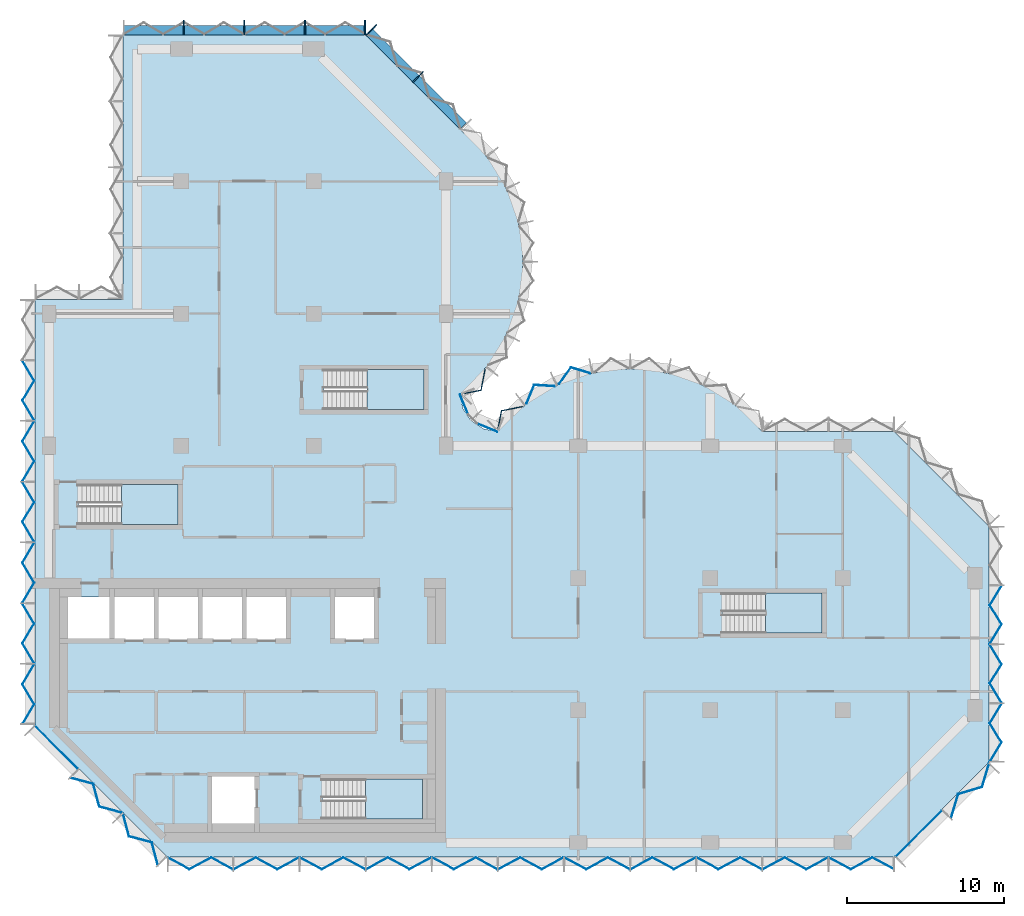
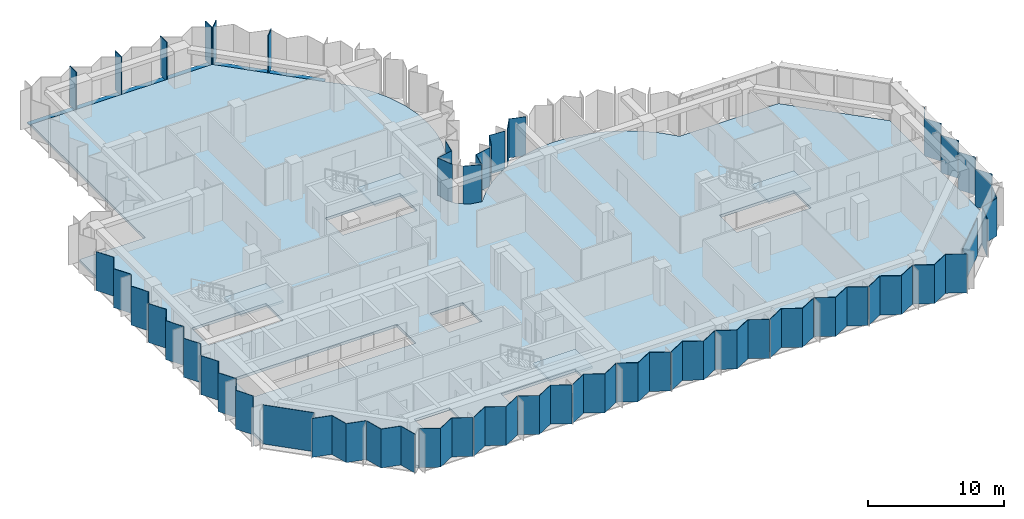
# One storey, part 3 of 10: 31 plates, 8 members, 5 slabs, 14 elements without a shape of their own.
"""IFC4 building model written with IfcOpenShell, lengths in metres."""

from ifc_helpers import new_model, si_unit, direction, frame, origin, origin_2d, place, context, subcontext, project, spatial, polyline, rectangle, outline, extrude, material, layer, layer_set, material_profile, profile_set, type_object, element, aggregate, save


model = new_model("IFC4")

# Units and contexts
model_context = context("Model", 3, precision=1e-05, world=origin(), true_north=direction((0.0, 1.0)))
body_context = subcontext(model_context, "Body", "Model", "MODEL_VIEW")
ifc_project = project(units=[si_unit("LENGTHUNIT", "METRE"), si_unit("AREAUNIT", "SQUARE_METRE"), si_unit("VOLUMEUNIT", "CUBIC_METRE"), si_unit("PLANEANGLEUNIT", "RADIAN"), si_unit("MASSUNIT", "GRAM", prefix="KILO")], contexts=[model_context])

# Site, building, storey
site_placement = place(None, origin())
site = spatial("IfcSite", under=ifc_project, at=site_placement, CompositionType="ELEMENT")
building_placement = place(site_placement, origin())
building = spatial("IfcBuilding", under=site, at=building_placement, Name="Brevane Broadcast Tower", CompositionType="ELEMENT")
storey_placement = place(building_placement, frame((0.0, 0.0, 181.199951171875)))
storey = spatial("IfcBuildingStorey", under=building, at=storey_placement, Name="L45", CompositionType="ELEMENT", Elevation=181.199951171875)

# Curtain wall, members
ifc_material_1 = material(Name="Aluminium 6063-T6 bronze anodised", Category="aluminium")
curtain_wall_type = type_object("IfcCurtainWallType", Name="CW-1 curtain wall", PredefinedType="NOTDEFINED", material=ifc_material_1)
curtain_wall_1_placement = place(storey_placement, origin())
curtain_wall_1 = element("IfcCurtainWall", 1, at=curtain_wall_1_placement, inside=storey, type_object=curtain_wall_type, Name="CW-1 typical tilted unit L45 north arm north-east chamfer", PredefinedType="NOTDEFINED")
ifc_material_profile_1 = material_profile(ifc_material_1, rectangle(XDim=0.949951171875, YDim=0.070068359375, at=origin_2d()), Name="RECT 70x950")
ifc_profile_set_1 = profile_set([ifc_material_profile_1], Name="Aluminium 6063-T6 bronze anodised")
member_type_1 = type_object("IfcMemberType", Name="CW-1 mullion 70x950", PredefinedType="MULLION", material=ifc_profile_set_1)
member_1_placement = place(storey_placement, frame((23.435791015625, 48.635986328125, -0.14990234375), z_axis=(0.0, 0.0, 1.0), x_axis=(-0.707106781187, -0.707106781187, 0.0)))
member_1 = element("IfcMember", 2, at=member_1_placement, type_object=member_type_1, Name="CW-1 mullion", PredefinedType="MULLION", context=body_context, shape_type="SweptSolid", body=[
    extrude(rectangle(XDim=0.949951171875, YDim=0.070068359375, at=origin_2d()), origin(), (0.0, 0.0, 1.0), 3.5),
])
member_2_placement = place(storey_placement, frame((20.460693359375, 51.611083984375, -0.14990234375), z_axis=(0.0, 0.0, 1.0), x_axis=(-0.707106781187, -0.707106781187, 0.0)))
member_2 = element("IfcMember", 3, at=member_2_placement, type_object=member_type_1, Name="CW-1 mullion", PredefinedType="MULLION", context=body_context, shape_type="SweptSolid", body=[
    extrude(rectangle(XDim=0.949951171875, YDim=0.070068359375, at=origin_2d()), origin(), (0.0, 0.0, 1.0), 3.5),
])

curtain_wall_2_placement = place(storey_placement, origin())
curtain_wall_2 = element("IfcCurtainWall", 4, at=curtain_wall_2_placement, inside=storey, type_object=curtain_wall_type, Name="CW-1 typical tilted unit L45 north end", PredefinedType="NOTDEFINED")
member_3_placement = place(storey_placement, frame((20.06494140625, 51.77490234375, -0.14990234375), z_axis=(0.0, 0.0, 1.0), x_axis=(0.0, -1.0, 0.0)))
member_3 = element("IfcMember", 5, at=member_3_placement, type_object=member_type_1, Name="CW-1 mullion", PredefinedType="MULLION", context=body_context, shape_type="SweptSolid", body=[
    extrude(rectangle(XDim=0.949951171875, YDim=0.070068359375, at=origin_2d()), origin(), (0.0, 0.0, 1.0), 3.5),
])
member_4_placement = place(storey_placement, frame((16.25, 51.77490234375, -0.14990234375), z_axis=(0.0, 0.0, 1.0), x_axis=(0.0, -1.0, 0.0)))
member_4 = element("IfcMember", 6, at=member_4_placement, type_object=member_type_1, Name="CW-1 mullion", PredefinedType="MULLION", context=body_context, shape_type="SweptSolid", body=[
    extrude(rectangle(XDim=0.949951171875, YDim=0.070068359375, at=origin_2d()), origin(), (0.0, 0.0, 1.0), 3.5),
])
member_5_placement = place(storey_placement, frame((12.39990234375, 51.77490234375, -0.14990234375), z_axis=(0.0, 0.0, 1.0), x_axis=(0.0, -1.0, 0.0)))
member_5 = element("IfcMember", 7, at=member_5_placement, type_object=member_type_1, Name="CW-1 mullion", PredefinedType="MULLION", context=body_context, shape_type="SweptSolid", body=[
    extrude(rectangle(XDim=0.949951171875, YDim=0.070068359375, at=origin_2d()), origin(), (0.0, 0.0, 1.0), 3.5),
])
member_6_placement = place(storey_placement, frame((8.550048828125, 51.77490234375, -0.14990234375), z_axis=(0.0, 0.0, 1.0), x_axis=(0.0, -1.0, 0.0)))
member_6 = element("IfcMember", 8, at=member_6_placement, type_object=member_type_1, Name="CW-1 mullion", PredefinedType="MULLION", context=body_context, shape_type="SweptSolid", body=[
    extrude(rectangle(XDim=0.949951171875, YDim=0.070068359375, at=origin_2d()), origin(), (0.0, 0.0, 1.0), 3.5),
])

# Member
ifc_material_profile_2 = material_profile(ifc_material_1, rectangle(XDim=0.60009765625, YDim=0.10009765625, at=origin_2d()), Name="RECT 100x600")
ifc_profile_set_2 = profile_set([ifc_material_profile_2], Name="Aluminium 6063-T6 bronze anodised")
member_type_2 = type_object("IfcMemberType", Name="CW-1 transom 100x600", PredefinedType="USERDEFINED", material=ifc_profile_set_2)
member_7_placement = place(storey_placement, frame((26.31201171875, 45.51220703125, -0.199951171875), z_axis=(-0.707106781187, 0.707106781187, 0.0), x_axis=(-0.707106781187, -0.707106781187, 0.0)))
member_7 = element("IfcMember", 9, at=member_7_placement, type_object=member_type_2, Name="CW-1 transom", ObjectType="TRANSOM", PredefinedType="USERDEFINED", context=body_context, shape_type="SweptSolid", body=[
    extrude(rectangle(XDim=0.60009765625, YDim=0.10009765625, at=origin_2d()), origin(), (0.0, 0.0, 1.0), 8.4853515625),
])

aggregate(curtain_wall_1, [member_1, member_2, member_7])

member_8_placement = place(storey_placement, frame((20.10009765625, 51.60009765625, -0.199951171875), z_axis=(-1.0, 0.0, 0.0), x_axis=(0.0, -1.0, 0.0)))
member_8 = element("IfcMember", 10, at=member_8_placement, type_object=member_type_2, Name="CW-1 transom", ObjectType="TRANSOM", PredefinedType="USERDEFINED", context=body_context, shape_type="SweptSolid", body=[
    extrude(rectangle(XDim=0.60009765625, YDim=0.10009765625, at=origin_2d()), origin(), (0.0, 0.0, 1.0), 15.400146484375),
])

aggregate(curtain_wall_2, [member_3, member_4, member_5, member_6, member_8])

# Curtain wall, plates
curtain_wall_3_placement = place(storey_placement, origin())
curtain_wall_3 = element("IfcCurtainWall", 11, at=curtain_wall_3_placement, inside=storey, type_object=curtain_wall_type, Name="CW-1 typical tilted unit L45 south face", PredefinedType="NOTDEFINED")
ifc_material_2 = material(Name="Laminated glass bronze-tinted", Category="glass")
ifc_layer_1 = layer(ifc_material_2, 0.0400390625)
ifc_layer_set_1 = layer_set([ifc_layer_1], Name="CW tall glass panel 40")
plate_type = type_object("IfcPlateType", Name="CW tall glass panel 40", PredefinedType="CURTAIN_PANEL", material=ifc_layer_set_1)
plate_1_placement = place(storey_placement, frame((0.0, 0.0, -0.14990234375)))
plate_1 = element("IfcPlate", 12, at=plate_1_placement, type_object=plate_type, Name="CW-1 glass panel", PredefinedType="CURTAIN_PANEL", context=body_context, shape_type="SweptSolid", body=[
    extrude(outline(polyline([(7.534912109375, -0.92724609375), (7.534912109375, -0.97265625), (8.91162109375, -1.717041015625), (10.288330078125, -0.97265625), (11.6650390625, -1.717041015625), (11.6650390625, -1.671630859375), (10.288330078125, -0.92724609375), (8.91162109375, -1.671630859375), (7.534912109375, -0.92724609375)])), origin(), (0.0, 0.0, 1.0), 3.5),
])
plate_2_placement = place(storey_placement, frame((0.0, 0.0, -0.14990234375)))
plate_2 = element("IfcPlate", 13, at=plate_2_placement, type_object=plate_type, Name="CW-1 glass panel", PredefinedType="CURTAIN_PANEL", context=body_context, shape_type="SweptSolid", body=[
    extrude(outline(polyline([(11.735107421875, -1.671630859375), (11.735107421875, -1.717041015625), (13.11181640625, -0.97265625), (14.48828125, -1.717041015625), (15.864990234375, -0.97265625), (15.864990234375, -0.92724609375), (14.48828125, -1.671630859375), (13.11181640625, -0.92724609375), (11.735107421875, -1.671630859375)])), origin(), (0.0, 0.0, 1.0), 3.5),
])
plate_3_placement = place(storey_placement, frame((0.0, 0.0, -0.14990234375)))
plate_3 = element("IfcPlate", 14, at=plate_3_placement, type_object=plate_type, Name="CW-1 glass panel", PredefinedType="CURTAIN_PANEL", context=body_context, shape_type="SweptSolid", body=[
    extrude(outline(polyline([(15.93505859375, -0.92724609375), (15.93505859375, -0.97265625), (17.311767578125, -1.717041015625), (18.688232421875, -0.97265625), (20.06494140625, -1.717041015625), (20.06494140625, -1.671630859375), (18.688232421875, -0.92724609375), (17.311767578125, -1.671630859375), (15.93505859375, -0.92724609375)])), origin(), (0.0, 0.0, 1.0), 3.5),
])
plate_4_placement = place(storey_placement, frame((0.0, 0.0, -0.14990234375)))
plate_4 = element("IfcPlate", 15, at=plate_4_placement, type_object=plate_type, Name="CW-1 glass panel", PredefinedType="CURTAIN_PANEL", context=body_context, shape_type="SweptSolid", body=[
    extrude(outline(polyline([(20.135009765625, -1.671630859375), (20.135009765625, -1.717041015625), (21.51171875, -0.97265625), (22.88818359375, -1.717041015625), (24.264892578125, -0.97265625), (24.264892578125, -0.92724609375), (22.88818359375, -1.671630859375), (21.51171875, -0.92724609375), (20.135009765625, -1.671630859375)])), origin(), (0.0, 0.0, 1.0), 3.5),
])
plate_5_placement = place(storey_placement, frame((0.0, 0.0, -0.14990234375)))
plate_5 = element("IfcPlate", 16, at=plate_5_placement, type_object=plate_type, Name="CW-1 glass panel", PredefinedType="CURTAIN_PANEL", context=body_context, shape_type="SweptSolid", body=[
    extrude(outline(polyline([(24.3349609375, -0.92724609375), (24.3349609375, -0.97265625), (25.711669921875, -1.717041015625), (27.08837890625, -0.97265625), (28.465087890625, -1.717041015625), (28.465087890625, -1.671630859375), (27.08837890625, -0.92724609375), (25.711669921875, -1.671630859375), (24.3349609375, -0.92724609375)])), origin(), (0.0, 0.0, 1.0), 3.5),
])
plate_6_placement = place(storey_placement, frame((0.0, 0.0, -0.14990234375)))
plate_6 = element("IfcPlate", 17, at=plate_6_placement, type_object=plate_type, Name="CW-1 glass panel", PredefinedType="CURTAIN_PANEL", context=body_context, shape_type="SweptSolid", body=[
    extrude(outline(polyline([(28.534912109375, -1.671630859375), (28.534912109375, -1.717041015625), (29.91162109375, -0.97265625), (31.288330078125, -1.717041015625), (32.6650390625, -0.97265625), (32.6650390625, -0.92724609375), (31.288330078125, -1.671630859375), (29.91162109375, -0.92724609375), (28.534912109375, -1.671630859375)])), origin(), (0.0, 0.0, 1.0), 3.5),
])
plate_7_placement = place(storey_placement, frame((0.0, 0.0, -0.14990234375)))
plate_7 = element("IfcPlate", 18, at=plate_7_placement, type_object=plate_type, Name="CW-1 glass panel", PredefinedType="CURTAIN_PANEL", context=body_context, shape_type="SweptSolid", body=[
    extrude(outline(polyline([(32.735107421875, -0.92724609375), (32.735107421875, -0.97265625), (34.11181640625, -1.717041015625), (35.48828125, -0.97265625), (36.864990234375, -1.717041015625), (36.864990234375, -1.671630859375), (35.48828125, -0.92724609375), (34.11181640625, -1.671630859375), (32.735107421875, -0.92724609375)])), origin(), (0.0, 0.0, 1.0), 3.5),
])
plate_8_placement = place(storey_placement, frame((0.0, 0.0, -0.14990234375)))
plate_8 = element("IfcPlate", 19, at=plate_8_placement, type_object=plate_type, Name="CW-1 glass panel", PredefinedType="CURTAIN_PANEL", context=body_context, shape_type="SweptSolid", body=[
    extrude(outline(polyline([(36.93505859375, -1.671630859375), (36.93505859375, -1.717041015625), (38.311767578125, -0.97265625), (39.688232421875, -1.717041015625), (41.06494140625, -0.97265625), (41.06494140625, -0.92724609375), (39.688232421875, -1.671630859375), (38.311767578125, -0.92724609375), (36.93505859375, -1.671630859375)])), origin(), (0.0, 0.0, 1.0), 3.5),
])
plate_9_placement = place(storey_placement, frame((0.0, 0.0, -0.14990234375)))
plate_9 = element("IfcPlate", 20, at=plate_9_placement, type_object=plate_type, Name="CW-1 glass panel", PredefinedType="CURTAIN_PANEL", context=body_context, shape_type="SweptSolid", body=[
    extrude(outline(polyline([(41.135009765625, -0.92724609375), (41.135009765625, -0.97265625), (42.51171875, -1.717041015625), (43.88818359375, -0.97265625), (45.264892578125, -1.717041015625), (45.264892578125, -1.671630859375), (43.88818359375, -0.92724609375), (42.51171875, -1.671630859375), (41.135009765625, -0.92724609375)])), origin(), (0.0, 0.0, 1.0), 3.5),
])
plate_10_placement = place(storey_placement, frame((0.0, 0.0, -0.14990234375)))
plate_10 = element("IfcPlate", 21, at=plate_10_placement, type_object=plate_type, Name="CW-1 glass panel", PredefinedType="CURTAIN_PANEL", context=body_context, shape_type="SweptSolid", body=[
    extrude(outline(polyline([(45.3349609375, -1.671630859375), (45.3349609375, -1.717041015625), (46.711669921875, -0.97265625), (48.08837890625, -1.717041015625), (49.465087890625, -0.97265625), (49.465087890625, -0.92724609375), (48.08837890625, -1.671630859375), (46.711669921875, -0.92724609375), (45.3349609375, -1.671630859375)])), origin(), (0.0, 0.0, 1.0), 3.5),
])
plate_11_placement = place(storey_placement, frame((0.0, 0.0, -0.14990234375)))
plate_11 = element("IfcPlate", 22, at=plate_11_placement, type_object=plate_type, Name="CW-1 glass panel", PredefinedType="CURTAIN_PANEL", context=body_context, shape_type="SweptSolid", body=[
    extrude(outline(polyline([(49.534912109375, -0.92724609375), (49.534912109375, -0.97265625), (50.91162109375, -1.717041015625), (52.288330078125, -0.97265625), (53.6650390625, -1.717041015625), (53.6650390625, -1.671630859375), (52.288330078125, -0.92724609375), (50.91162109375, -1.671630859375), (49.534912109375, -0.92724609375)])), origin(), (0.0, 0.0, 1.0), 3.5),
])
aggregate(curtain_wall_3, [plate_1, plate_2, plate_3, plate_4, plate_5, plate_6, plate_7, plate_8, plate_9, plate_10, plate_11])

curtain_wall_4_placement = place(storey_placement, origin())
curtain_wall_4 = element("IfcCurtainWall", 23, at=curtain_wall_4_placement, inside=storey, type_object=curtain_wall_type, Name="CW-1 typical tilted unit L45 south-east chamfer", PredefinedType="NOTDEFINED")
plate_12_placement = place(storey_placement, frame((0.0, 0.0, -0.14990234375)))
plate_12 = element("IfcPlate", 24, at=plate_12_placement, type_object=plate_type, Name="CW-1 glass panel", PredefinedType="CURTAIN_PANEL", context=body_context, shape_type="SweptSolid", body=[
    extrude(outline(polyline([(53.74609375, -0.896484375), (56.696533203125, 2.053955078125), (56.724609375, 2.02587890625), (53.774169921875, -0.9248046875), (53.74609375, -0.896484375)])), origin(), (0.0, 0.0, 1.0), 3.39990234375),
])
plate_13_placement = place(storey_placement, frame((0.0, 0.0, -0.14990234375)))
plate_13 = element("IfcPlate", 25, at=plate_13_placement, type_object=plate_type, Name="CW-1 glass panel", PredefinedType="CURTAIN_PANEL", context=body_context, shape_type="SweptSolid", body=[
    extrude(outline(polyline([(57.2705078125, 1.5791015625), (57.302490234375, 1.547119140625), (57.759521484375, 3.056884765625), (59.26953125, 3.513916015625), (59.7265625, 5.02392578125), (59.694580078125, 5.055908203125), (59.2373046875, 3.546142578125), (57.7275390625, 3.0888671875), (57.2705078125, 1.5791015625)])), origin(), (0.0, 0.0, 1.0), 3.39990234375),
])
aggregate(curtain_wall_4, [plate_12, plate_13])

curtain_wall_5_placement = place(storey_placement, origin())
curtain_wall_5 = element("IfcCurtainWall", 26, at=curtain_wall_5_placement, inside=storey, type_object=curtain_wall_type, Name="CW-1 typical tilted unit L45 east end", PredefinedType="NOTDEFINED")
plate_14_placement = place(storey_placement, frame((0.0, 0.0, -0.14990234375)))
plate_14 = element("IfcPlate", 27, at=plate_14_placement, type_object=plate_type, Name="CW-1 glass panel", PredefinedType="CURTAIN_PANEL", context=body_context, shape_type="SweptSolid", body=[
    extrude(outline(polyline([(59.7265625, 5.135009765625), (59.7734375, 5.135009765625), (60.517822265625, 6.36181640625), (59.7734375, 7.58837890625), (60.517822265625, 8.81494140625), (60.470947265625, 8.81494140625), (59.7265625, 7.58837890625), (60.470947265625, 6.36181640625), (59.7265625, 5.135009765625)])), origin(), (0.0, 0.0, 1.0), 3.39990234375),
])
plate_15_placement = place(storey_placement, frame((0.0, 0.0, -0.14990234375)))
plate_15 = element("IfcPlate", 28, at=plate_15_placement, type_object=plate_type, Name="CW-1 glass panel", PredefinedType="CURTAIN_PANEL", context=body_context, shape_type="SweptSolid", body=[
    extrude(outline(polyline([(60.470947265625, 8.885009765625), (60.517822265625, 8.885009765625), (59.7734375, 10.11181640625), (60.517822265625, 11.33837890625), (59.7734375, 12.56494140625), (59.7265625, 12.56494140625), (60.470947265625, 11.33837890625), (59.7265625, 10.11181640625), (60.470947265625, 8.885009765625)])), origin(), (0.0, 0.0, 1.0), 3.39990234375),
])
plate_16_placement = place(storey_placement, frame((0.0, 0.0, -0.14990234375)))
plate_16 = element("IfcPlate", 29, at=plate_16_placement, type_object=plate_type, Name="CW-1 glass panel", PredefinedType="CURTAIN_PANEL", context=body_context, shape_type="SweptSolid", body=[
    extrude(outline(polyline([(59.7265625, 12.635009765625), (59.7734375, 12.635009765625), (60.517822265625, 13.86181640625), (59.7734375, 15.08837890625), (60.517822265625, 16.31494140625), (60.470947265625, 16.31494140625), (59.7265625, 15.08837890625), (60.470947265625, 13.86181640625), (59.7265625, 12.635009765625)])), origin(), (0.0, 0.0, 1.0), 3.39990234375),
])
aggregate(curtain_wall_5, [plate_14, plate_15, plate_16])

curtain_wall_6_placement = place(storey_placement, origin())
curtain_wall_6 = element("IfcCurtainWall", 30, at=curtain_wall_6_placement, inside=storey, type_object=curtain_wall_type, Name="CW-1 typical tilted unit L45 east bow", PredefinedType="NOTDEFINED")
plate_17_placement = place(storey_placement, frame((0.0, 0.0, -0.14990234375)))
plate_17 = element("IfcPlate", 31, at=plate_17_placement, type_object=plate_type, Name="CW-1 glass panel", PredefinedType="CURTAIN_PANEL", context=body_context, shape_type="SweptSolid", body=[
    extrude(outline(polyline([(34.359619140625, 29.78857421875), (34.349365234375, 29.83349609375), (33.132080078125, 30.20166015625), (32.381103515625, 29.1455078125), (32.400634765625, 29.104248046875), (33.148193359375, 30.155029296875), (34.359619140625, 29.78857421875)])), origin(), (0.0, 0.0, 1.0), 3.5),
])
plate_18_placement = place(storey_placement, frame((0.0, 0.0, -0.14990234375)))
plate_18 = element("IfcPlate", 32, at=plate_18_placement, type_object=plate_type, Name="CW-1 glass panel", PredefinedType="CURTAIN_PANEL", context=body_context, shape_type="SweptSolid", body=[
    extrude(outline(polyline([(32.10888671875, 28.96533203125), (32.08935546875, 29.006591796875), (30.7958984375, 29.089111328125), (30.314697265625, 27.912109375), (30.343017578125, 27.8759765625), (30.822265625, 29.04736328125), (32.10888671875, 28.96533203125)])), origin(), (0.0, 0.0, 1.0), 3.5),
])
plate_19_placement = place(storey_placement, frame((0.0, 0.0, -0.14990234375)))
plate_19 = element("IfcPlate", 33, at=plate_19_placement, type_object=plate_type, Name="CW-1 glass panel", PredefinedType="CURTAIN_PANEL", context=body_context, shape_type="SweptSolid", body=[
    extrude(outline(polyline([(30.089111328125, 27.67626953125), (30.0615234375, 27.71142578125), (28.7138671875, 27.447265625), (28.471923828125, 26.17919921875), (28.506103515625, 26.14404296875), (28.748046875, 27.4130859375), (30.089111328125, 27.67626953125)])), origin(), (0.0, 0.0, 1.0), 3.5),
])
aggregate(curtain_wall_6, [plate_17, plate_18, plate_19])

curtain_wall_7_placement = place(storey_placement, origin())
curtain_wall_7 = element("IfcCurtainWall", 34, at=curtain_wall_7_placement, inside=storey, type_object=curtain_wall_type, Name="CW-1 typical tilted unit L45 inner corner", PredefinedType="NOTDEFINED")
plate_20_placement = place(storey_placement, frame((0.0, 0.0, -0.14990234375)))
plate_20 = element("IfcPlate", 35, at=plate_20_placement, type_object=plate_type, Name="CW-1 glass panel", PredefinedType="CURTAIN_PANEL", context=body_context, shape_type="SweptSolid", body=[
    extrude(outline(polyline([(28.45166015625, 26.07470703125), (28.466796875, 26.111572265625), (27.2021484375, 26.635498046875), (27.17138671875, 26.60498046875), (28.45166015625, 26.07470703125)])), origin(), (0.0, 0.0, 1.0), 3.5),
])
plate_21_placement = place(storey_placement, frame((0.0, 0.0, -0.14990234375)))
plate_21 = element("IfcPlate", 36, at=plate_21_placement, type_object=plate_type, Name="CW-1 glass panel", PredefinedType="CURTAIN_PANEL", context=body_context, shape_type="SweptSolid", body=[
    extrude(outline(polyline([(26.60498046875, 27.17138671875), (26.635498046875, 27.2021484375), (26.111572265625, 28.466796875), (26.07470703125, 28.45166015625), (26.60498046875, 27.17138671875)])), origin(), (0.0, 0.0, 1.0), 3.5),
])
aggregate(curtain_wall_7, [plate_20, plate_21])

# Curtain wall, plate
curtain_wall_8_placement = place(storey_placement, origin())
curtain_wall_8 = element("IfcCurtainWall", 37, at=curtain_wall_8_placement, inside=storey, type_object=curtain_wall_type, Name="CW-1 typical tilted unit L45 north bow", PredefinedType="NOTDEFINED")
plate_22_placement = place(storey_placement, frame((0.0, 0.0, -0.14990234375)))
plate_22 = element("IfcPlate", 38, at=plate_22_placement, type_object=plate_type, Name="CW-1 glass panel", PredefinedType="CURTAIN_PANEL", context=body_context, shape_type="SweptSolid", body=[
    extrude(outline(polyline([(26.14404296875, 28.506103515625), (26.17919921875, 28.471923828125), (27.447265625, 28.7138671875), (27.71142578125, 30.0615234375), (27.67626953125, 30.089111328125), (27.4130859375, 28.748046875), (26.14404296875, 28.506103515625)])), origin(), (0.0, 0.0, 1.0), 3.5),
])
aggregate(curtain_wall_8, [plate_22])

# Curtain wall, plates
curtain_wall_9_placement = place(storey_placement, origin())
curtain_wall_9 = element("IfcCurtainWall", 39, at=curtain_wall_9_placement, inside=storey, type_object=curtain_wall_type, Name="CW-1 typical tilted unit L45 west face", PredefinedType="NOTDEFINED")
plate_23_placement = place(storey_placement, frame((0.0, 0.0, -0.14990234375)))
plate_23 = element("IfcPlate", 40, at=plate_23_placement, type_object=plate_type, Name="CW-1 glass panel", PredefinedType="CURTAIN_PANEL", context=body_context, shape_type="SweptSolid", body=[
    extrude(outline(polyline([(-1.671142578125, 30.60791015625), (-1.717529296875, 30.60791015625), (-0.97314453125, 29.345458984375), (-1.717529296875, 28.0830078125), (-0.97314453125, 26.82080078125), (-0.9267578125, 26.82080078125), (-1.671142578125, 28.0830078125), (-0.9267578125, 29.345458984375), (-1.671142578125, 30.60791015625)])), origin(), (0.0, 0.0, 1.0), 3.5),
])
plate_24_placement = place(storey_placement, frame((0.0, 0.0, -0.14990234375)))
plate_24 = element("IfcPlate", 41, at=plate_24_placement, type_object=plate_type, Name="CW-1 glass panel", PredefinedType="CURTAIN_PANEL", context=body_context, shape_type="SweptSolid", body=[
    extrude(outline(polyline([(-0.9267578125, 26.750732421875), (-0.97314453125, 26.750732421875), (-1.717529296875, 25.48828125), (-0.97314453125, 24.22607421875), (-1.717529296875, 22.963623046875), (-1.671142578125, 22.963623046875), (-0.9267578125, 24.22607421875), (-1.671142578125, 25.48828125), (-0.9267578125, 26.750732421875)])), origin(), (0.0, 0.0, 1.0), 3.5),
])
plate_25_placement = place(storey_placement, frame((0.0, 0.0, -0.14990234375)))
plate_25 = element("IfcPlate", 42, at=plate_25_placement, type_object=plate_type, Name="CW-1 glass panel", PredefinedType="CURTAIN_PANEL", context=body_context, shape_type="SweptSolid", body=[
    extrude(outline(polyline([(-1.671142578125, 22.8935546875), (-1.717529296875, 22.8935546875), (-0.97314453125, 21.631103515625), (-1.717529296875, 20.368896484375), (-0.97314453125, 19.1064453125), (-0.9267578125, 19.1064453125), (-1.671142578125, 20.368896484375), (-0.9267578125, 21.631103515625), (-1.671142578125, 22.8935546875)])), origin(), (0.0, 0.0, 1.0), 3.5),
])
plate_26_placement = place(storey_placement, frame((0.0, 0.0, -0.14990234375)))
plate_26 = element("IfcPlate", 43, at=plate_26_placement, type_object=plate_type, Name="CW-1 glass panel", PredefinedType="CURTAIN_PANEL", context=body_context, shape_type="SweptSolid", body=[
    extrude(outline(polyline([(-0.9267578125, 19.036376953125), (-0.97314453125, 19.036376953125), (-1.717529296875, 17.77392578125), (-0.97314453125, 16.51171875), (-1.717529296875, 15.249267578125), (-1.671142578125, 15.249267578125), (-0.9267578125, 16.51171875), (-1.671142578125, 17.77392578125), (-0.9267578125, 19.036376953125)])), origin(), (0.0, 0.0, 1.0), 3.5),
])
plate_27_placement = place(storey_placement, frame((0.0, 0.0, -0.14990234375)))
plate_27 = element("IfcPlate", 44, at=plate_27_placement, type_object=plate_type, Name="CW-1 glass panel", PredefinedType="CURTAIN_PANEL", context=body_context, shape_type="SweptSolid", body=[
    extrude(outline(polyline([(-1.671142578125, 15.17919921875), (-1.717529296875, 15.17919921875), (-0.97314453125, 13.9169921875), (-1.717529296875, 12.654541015625), (-0.97314453125, 11.39208984375), (-0.9267578125, 11.39208984375), (-1.671142578125, 12.654541015625), (-0.9267578125, 13.9169921875), (-1.671142578125, 15.17919921875)])), origin(), (0.0, 0.0, 1.0), 3.5),
])
plate_28_placement = place(storey_placement, frame((0.0, 0.0, -0.14990234375)))
plate_28 = element("IfcPlate", 45, at=plate_28_placement, type_object=plate_type, Name="CW-1 glass panel", PredefinedType="CURTAIN_PANEL", context=body_context, shape_type="SweptSolid", body=[
    extrude(outline(polyline([(-0.9267578125, 11.322021484375), (-0.97314453125, 11.322021484375), (-1.717529296875, 10.059814453125), (-0.97314453125, 8.79736328125), (-1.717529296875, 7.534912109375), (-1.671142578125, 7.534912109375), (-0.9267578125, 8.79736328125), (-1.671142578125, 10.059814453125), (-0.9267578125, 11.322021484375)])), origin(), (0.0, 0.0, 1.0), 3.5),
])
aggregate(curtain_wall_9, [plate_23, plate_24, plate_25, plate_26, plate_27, plate_28])

curtain_wall_10_placement = place(storey_placement, origin())
curtain_wall_10 = element("IfcCurtainWall", 46, at=curtain_wall_10_placement, inside=storey, type_object=curtain_wall_type, Name="CW-1 typical tilted unit L45 south-west chamfer", PredefinedType="NOTDEFINED")
plate_29_placement = place(storey_placement, frame((0.0, 0.0, -0.14990234375)))
plate_29 = element("IfcPlate", 47, at=plate_29_placement, type_object=plate_type, Name="CW-1 glass panel", PredefinedType="CURTAIN_PANEL", context=body_context, shape_type="SweptSolid", body=[
    extrude(outline(polyline([(-0.896484375, 7.4541015625), (1.85400390625, 4.70361328125), (1.82568359375, 4.67529296875), (-0.9248046875, 7.42578125), (-0.896484375, 7.4541015625)])), origin(), (0.0, 0.0, 1.0), 3.5),
])
plate_30_placement = place(storey_placement, frame((0.0, 0.0, -0.14990234375)))
plate_30 = element("IfcPlate", 48, at=plate_30_placement, type_object=plate_type, Name="CW-1 glass panel", PredefinedType="CURTAIN_PANEL", context=body_context, shape_type="SweptSolid", body=[
    extrude(outline(polyline([(1.37939453125, 4.1298828125), (1.3466796875, 4.09716796875), (2.789794921875, 3.706787109375), (3.180419921875, 2.263671875), (4.62353515625, 1.873046875), (4.65625, 1.90576171875), (3.212890625, 2.296142578125), (2.822509765625, 3.739501953125), (1.37939453125, 4.1298828125)])), origin(), (0.0, 0.0, 1.0), 3.5),
])
plate_31_placement = place(storey_placement, frame((0.0, 0.0, -0.14990234375)))
plate_31 = element("IfcPlate", 49, at=plate_31_placement, type_object=plate_type, Name="CW-1 glass panel", PredefinedType="CURTAIN_PANEL", context=body_context, shape_type="SweptSolid", body=[
    extrude(outline(polyline([(4.705810546875, 1.856201171875), (4.673095703125, 1.823486328125), (5.063720703125, 0.38037109375), (6.5068359375, -0.010009765625), (6.897216796875, -1.453369140625), (6.9296875, -1.420654296875), (6.539306640625, 0.0224609375), (5.09619140625, 0.4130859375), (4.705810546875, 1.856201171875)])), origin(), (0.0, 0.0, 1.0), 3.5),
])
aggregate(curtain_wall_10, [plate_29, plate_30, plate_31])

# Stair, slab
ifc_material_3 = material(Name="Concrete C50/60", Category="concrete")
stair_type = type_object("IfcStairType", Name="Exit stair 22 risers", PredefinedType="HALF_TURN_STAIR", material=ifc_material_3)
stair_1_placement = place(storey_placement, origin())
stair_1 = element("IfcStair", 50, at=stair_1_placement, inside=storey, type_object=stair_type, Name="L45 Exit stair ST-1", PredefinedType="HALF_TURN_STAIR")
ifc_layer_2 = layer(ifc_material_3, 0.199951171875)
ifc_layer_set_2 = layer_set([ifc_layer_2], Name="Exit stair landing")
slab_type_1 = type_object("IfcSlabType", Name="Exit stair landing", PredefinedType="LANDING", material=ifc_layer_set_2)
slab_1_placement = place(storey_placement, frame((0.0, 0.0, 1.60009765625)))
slab_1 = element("IfcSlab", 51, at=slab_1_placement, type_object=slab_type_1, Name="ST-1 landing 1", PredefinedType="LANDING", context=body_context, shape_type="SweptSolid", body=[
    extrude(outline(polyline([(4.60009765625, 20.199951171875), (8.199951171875, 20.199951171875), (8.199951171875, 22.75), (4.60009765625, 22.75), (4.60009765625, 20.199951171875)])), origin(), (0.0, 0.0, 1.0), 0.199951171875),
])
aggregate(stair_1, [slab_1])

stair_2_placement = place(storey_placement, origin())
stair_2 = element("IfcStair", 52, at=stair_2_placement, inside=storey, type_object=stair_type, Name="L45 Exit stair ST-2", PredefinedType="HALF_TURN_STAIR")
slab_2_placement = place(storey_placement, frame((0.0, 0.0, 1.60009765625)))
slab_2 = element("IfcSlab", 53, at=slab_2_placement, type_object=slab_type_1, Name="ST-2 landing 1", PredefinedType="LANDING", context=body_context, shape_type="SweptSolid", body=[
    extrude(outline(polyline([(20.10009765625, 1.5), (23.699951171875, 1.5), (23.699951171875, 4.050048828125), (20.10009765625, 4.050048828125), (20.10009765625, 1.5)])), origin(), (0.0, 0.0, 1.0), 0.199951171875),
])
aggregate(stair_2, [slab_2])

stair_3_placement = place(storey_placement, origin())
stair_3 = element("IfcStair", 54, at=stair_3_placement, inside=storey, type_object=stair_type, Name="L45 Exit stair ST-3", PredefinedType="HALF_TURN_STAIR")
slab_3_placement = place(storey_placement, frame((0.0, 0.0, 1.60009765625)))
slab_3 = element("IfcSlab", 55, at=slab_3_placement, type_object=slab_type_1, Name="ST-3 landing 1", PredefinedType="LANDING", context=body_context, shape_type="SweptSolid", body=[
    extrude(outline(polyline([(20.199951171875, 27.5), (23.800048828125, 27.5), (23.800048828125, 30.050048828125), (20.199951171875, 30.050048828125), (20.199951171875, 27.5)])), origin(), (0.0, 0.0, 1.0), 0.199951171875),
])
aggregate(stair_3, [slab_3])

stair_4_placement = place(storey_placement, origin())
stair_4 = element("IfcStair", 56, at=stair_4_placement, inside=storey, type_object=stair_type, Name="L45 Exit stair ST-4", PredefinedType="HALF_TURN_STAIR")
slab_4_placement = place(storey_placement, frame((0.0, 0.0, 1.60009765625)))
slab_4 = element("IfcSlab", 57, at=slab_4_placement, type_object=slab_type_1, Name="ST-4 landing 1", PredefinedType="LANDING", context=body_context, shape_type="SweptSolid", body=[
    extrude(outline(polyline([(45.5, 13.300048828125), (49.10009765625, 13.300048828125), (49.10009765625, 15.85009765625), (45.5, 15.85009765625), (45.5, 13.300048828125)])), origin(), (0.0, 0.0, 1.0), 0.199951171875),
])
aggregate(stair_4, [slab_4])

# Slab
ifc_material_4 = material(Name="Concrete C40/50", Category="concrete")
ifc_layer_3 = layer(ifc_material_4, 0.25)
ifc_layer_set_3 = layer_set([ifc_layer_3], Name="RC FLOOR SLAB 250 C40/50")
slab_type_2 = type_object("IfcSlabType", Name="RC FLOOR SLAB 250 C40/50", PredefinedType="FLOOR", material=ifc_layer_set_3)
slab_5_placement = place(storey_placement, frame((0.0, 0.0, -0.25)))
element("IfcSlab", 58, at=slab_5_placement, inside=storey, type_object=slab_type_2, Name="SL250 L45", PredefinedType="FLOOR", context=body_context, shape_type="SweptSolid", body=[
    extrude(outline(polyline([(-0.89990234375, 7.5), (-0.89990234375, 34.5), (4.699951171875, 34.5), (4.699951171875, 51.300048828125), (20.10009765625, 51.300048828125), (26.10009765625, 45.300048828125), (27.10888671875, 44.36865234375), (27.99169921875, 43.317138671875), (28.734130859375, 42.162353515625), (29.324462890625, 40.922607421875), (29.7529296875, 39.618408203125), (30.012939453125, 38.270263671875), (30.10009765625, 36.89990234375), (30.012939453125, 35.52978515625), (29.7529296875, 34.181640625), (29.324462890625, 32.877197265625), (28.734130859375, 31.6376953125), (27.99169921875, 30.48291015625), (27.10888671875, 29.431396484375), (26.10009765625, 28.5), (26.28271484375, 27.58154296875), (26.802978515625, 26.802978515625), (27.58154296875, 26.28271484375), (28.5, 26.10009765625), (29.431396484375, 27.10888671875), (30.48291015625, 27.99169921875), (31.6376953125, 28.734130859375), (32.877197265625, 29.324462890625), (34.181640625, 29.7529296875), (35.52978515625, 30.012939453125), (36.89990234375, 30.10009765625), (38.270263671875, 30.012939453125), (39.618408203125, 29.7529296875), (40.922607421875, 29.324462890625), (42.162353515625, 28.734130859375), (43.317138671875, 27.99169921875), (44.36865234375, 27.10888671875), (45.300048828125, 26.10009765625), (53.699951171875, 26.10009765625), (59.699951171875, 20.10009765625), (59.699951171875, 5.10009765625), (53.699951171875, -0.89990234375), (7.5, -0.89990234375), (-0.89990234375, 7.5)]), holes=[polyline([(13.199951171875, 4.39990234375), (10.199951171875, 4.39990234375), (10.199951171875, 1.199951171875), (13.199951171875, 1.199951171875), (13.199951171875, 4.39990234375)]), polyline([(4.0, 15.60009765625), (1.199951171875, 15.60009765625), (1.199951171875, 12.800048828125), (4.0, 12.800048828125), (6.800048828125, 12.800048828125), (9.60009765625, 12.800048828125), (12.39990234375, 12.800048828125), (15.199951171875, 12.800048828125), (15.199951171875, 15.60009765625), (12.39990234375, 15.60009765625), (9.60009765625, 15.60009765625), (6.800048828125, 15.60009765625), (4.0, 15.60009765625)]), polyline([(1.860107421875, 22.75), (1.860107421875, 20.199951171875), (8.199951171875, 20.199951171875), (8.199951171875, 22.75), (1.860107421875, 22.75)]), polyline([(23.699951171875, 4.050048828125), (17.360107421875, 4.050048828125), (17.360107421875, 1.5), (23.699951171875, 1.5), (23.699951171875, 4.050048828125)]), polyline([(20.800048828125, 15.60009765625), (18.0, 15.60009765625), (18.0, 12.800048828125), (20.800048828125, 12.800048828125), (20.800048828125, 15.60009765625)]), polyline([(49.10009765625, 15.85009765625), (42.760009765625, 15.85009765625), (42.760009765625, 13.300048828125), (49.10009765625, 13.300048828125), (49.10009765625, 15.85009765625)]), polyline([(23.800048828125, 30.050048828125), (17.4599609375, 30.050048828125), (17.4599609375, 27.5), (23.800048828125, 27.5), (23.800048828125, 30.050048828125)])]), origin(), (0.0, 0.0, 1.0), 0.25),
])

save(model, "model.ifc")
